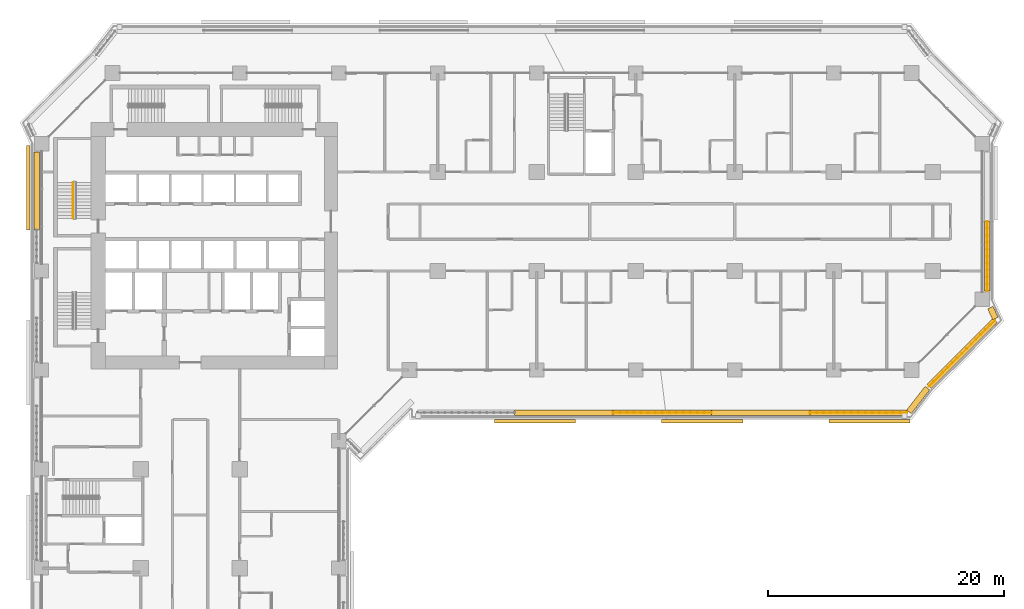
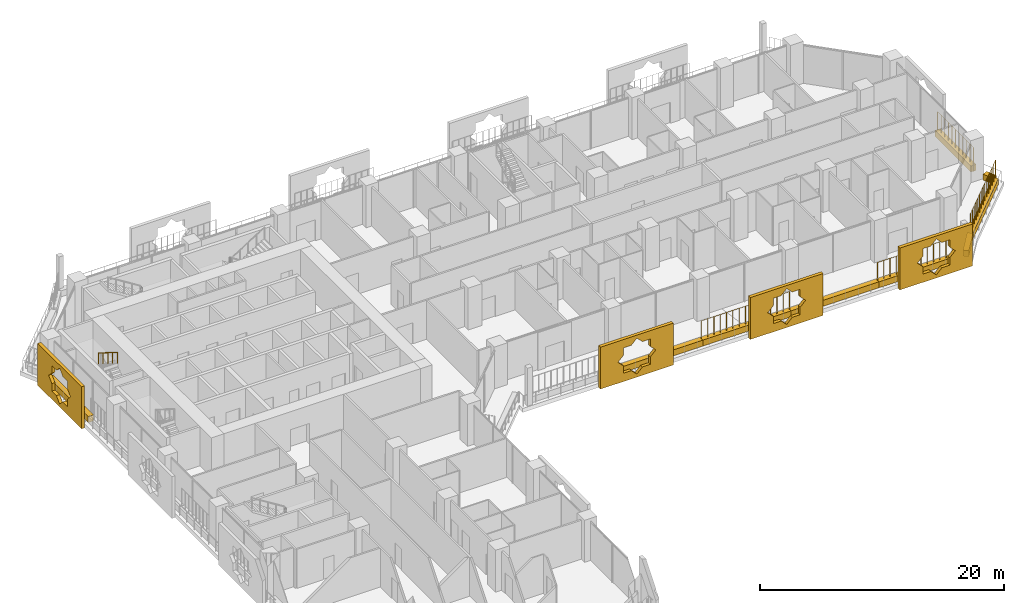
# One storey, part 25 of 28: 13 coverings, 5 railings.
"""IFC4 building model written with IfcOpenShell, lengths in metres."""

from ifc_helpers import new_model, si_unit, direction, frame, origin, origin_2d, place, context, subcontext, project, spatial, polyline, rectangle, circle, outline, extrude, material, material_profile, profile_set, type_object, element, save


model = new_model("IFC4")

# Units and contexts
model_context = context("Model", 3, precision=1e-05, world=origin(), true_north=direction((0.0, 1.0)))
body_context = subcontext(model_context, "Body", "Model", "MODEL_VIEW")
ifc_project = project(units=[si_unit("LENGTHUNIT", "METRE"), si_unit("AREAUNIT", "SQUARE_METRE"), si_unit("VOLUMEUNIT", "CUBIC_METRE"), si_unit("PLANEANGLEUNIT", "RADIAN"), si_unit("MASSUNIT", "GRAM", prefix="KILO")], contexts=[model_context])

# Site, building, storey
site_placement = place(None, origin())
site = spatial("IfcSite", under=ifc_project, at=site_placement, CompositionType="ELEMENT")
building_placement = place(site_placement, origin())
building = spatial("IfcBuilding", under=site, at=building_placement, Name="Kawkab Arch Medical Tower", CompositionType="ELEMENT")
storey_placement = place(building_placement, frame((0.0, 0.0, 72.800048828125)))
storey = spatial("IfcBuildingStorey", under=building, at=storey_placement, Name="L16", CompositionType="ELEMENT", Elevation=72.800048828125)

# Coverings
ifc_material_1 = material(Name="Bronze anodised aluminium mashrabiya panel, eight-point star pattern", Category="aluminium")
ifc_material_profile_1 = material_profile(ifc_material_1, outline(polyline([(-3.449951171875, -2.10009765625), (3.449951171875, -2.10009765625), (3.449951171875, 2.10009765625), (-3.449951171875, 2.10009765625), (-3.449951171875, -2.10009765625)]), holes=[polyline([(1.800048828125, 0.0), (1.272705078125, 0.527099609375), (1.272705078125, 1.272705078125), (0.527099609375, 1.272705078125), (0.0, 1.800048828125), (-0.527099609375, 1.272705078125), (-1.272705078125, 1.272705078125), (-1.272705078125, 0.527099609375), (-1.800048828125, 0.0), (-1.272705078125, -0.527099609375), (-1.272705078125, -1.272705078125), (-0.527099609375, -1.272705078125), (0.0, -1.800048828125), (0.527099609375, -1.272705078125), (1.272705078125, -1.272705078125), (1.272705078125, -0.527099609375), (1.800048828125, 0.0)])]), Name="Mashrabiya panel 6900x4200")
ifc_profile_set_1 = profile_set([ifc_material_profile_1], Name="Bronze anodised aluminium mashrabiya panel, eight-point star pattern")
covering_type_1 = type_object("IfcCoveringType", Name="Mashrabiya panel 6900 x 4200", PredefinedType="USERDEFINED", material=ifc_profile_set_1)
for number, where, z_axis, x_axis, name in (
    (1, (70.226318359375, -29.39990234375, 1.699951171875), (0.0, -1.0, 0.0), (1.0, 0.0, 0.0), "Mashrabiya panel L16.LOG-01-01.11"),
    (2, (56.05126953125, -29.39990234375, 1.699951171875), (0.0, -1.0, 0.0), (1.0, 0.0, 0.0), "Mashrabiya panel L16.LOG-01-01.12"),
    (3, (41.856201171875, -29.39990234375, 1.699951171875), (0.0, -1.0, 0.0), (1.0, 0.0, 0.0), "Mashrabiya panel L16.LOG-01-01.13"),
):
    element("IfcCovering", number, at=place(storey_placement, frame(where, z_axis=z_axis, x_axis=x_axis)), inside=storey, type_object=covering_type_1, Name=name, ObjectType="SCREEN", PredefinedType="USERDEFINED", context=body_context, shape_type="SweptSolid", body=[
        extrude(outline(polyline([(-3.449951171875, -2.10009765625), (3.449951171875, -2.10009765625), (3.449951171875, 2.10009765625), (-3.449951171875, 2.10009765625), (-3.449951171875, -2.10009765625)]), holes=[polyline([(1.800048828125, 0.0), (1.272705078125, 0.527099609375), (1.272705078125, 1.272705078125), (0.527099609375, 1.272705078125), (0.0, 1.800048828125), (-0.527099609375, 1.272705078125), (-1.272705078125, 1.272705078125), (-1.272705078125, 0.527099609375), (-1.800048828125, 0.0), (-1.272705078125, -0.527099609375), (-1.272705078125, -1.272705078125), (-0.527099609375, -1.272705078125), (0.0, -1.800048828125), (0.527099609375, -1.272705078125), (1.272705078125, -1.272705078125), (1.272705078125, -0.527099609375), (1.800048828125, 0.0)])]), origin(), (0.0, 0.0, 1.0), 0.300048828125),
    ])
ifc_material_2 = material(Name="Bronze anodised aluminium mashrabiya panel, eight-point star pattern", Category="aluminium")
ifc_material_profile_2 = material_profile(ifc_material_2, outline(polyline([(-3.60009765625, -2.10009765625), (3.60009765625, -2.10009765625), (3.60009765625, 2.10009765625), (-3.60009765625, 2.10009765625), (-3.60009765625, -2.10009765625)]), holes=[polyline([(1.800048828125, 0.0), (1.272705078125, 0.527099609375), (1.272705078125, 1.272705078125), (0.527099609375, 1.272705078125), (0.0, 1.800048828125), (-0.527099609375, 1.272705078125), (-1.272705078125, 1.272705078125), (-1.272705078125, 0.527099609375), (-1.800048828125, 0.0), (-1.272705078125, -0.527099609375), (-1.272705078125, -1.272705078125), (-0.527099609375, -1.272705078125), (0.0, -1.800048828125), (0.527099609375, -1.272705078125), (1.272705078125, -1.272705078125), (1.272705078125, -0.527099609375), (1.800048828125, 0.0)])]), Name="Mashrabiya panel 7200x4200")
ifc_profile_set_2 = profile_set([ifc_material_profile_2], Name="Bronze anodised aluminium mashrabiya panel, eight-point star pattern")
covering_type_2 = type_object("IfcCoveringType", Name="Mashrabiya panel 7200 x 4200", PredefinedType="USERDEFINED", material=ifc_profile_set_2)
covering_1_placement = place(storey_placement, frame((-1.0, -9.730712890625, 1.699951171875), z_axis=(-1.0, 0.0, 0.0), x_axis=(0.0, -1.0, 0.0)))
element("IfcCovering", 4, at=covering_1_placement, inside=storey, type_object=covering_type_2, Name="Mashrabiya panel L16.LOG-01-01.5", ObjectType="SCREEN", PredefinedType="USERDEFINED", context=body_context, shape_type="SweptSolid", body=[
    extrude(outline(polyline([(-3.60009765625, -2.10009765625), (3.60009765625, -2.10009765625), (3.60009765625, 2.10009765625), (-3.60009765625, 2.10009765625), (-3.60009765625, -2.10009765625)]), holes=[polyline([(1.800048828125, 0.0), (1.272705078125, 0.527099609375), (1.272705078125, 1.272705078125), (0.527099609375, 1.272705078125), (0.0, 1.800048828125), (-0.527099609375, 1.272705078125), (-1.272705078125, 1.272705078125), (-1.272705078125, 0.527099609375), (-1.800048828125, 0.0), (-1.272705078125, -0.527099609375), (-1.272705078125, -1.272705078125), (-0.527099609375, -1.272705078125), (0.0, -1.800048828125), (0.527099609375, -1.272705078125), (1.272705078125, -1.272705078125), (1.272705078125, -0.527099609375), (1.800048828125, 0.0)])]), origin(), (0.0, 0.0, 1.0), 0.300048828125),
])
ifc_material_3 = material(Name="Planting soil in a precast trough", Category="concrete")
ifc_material_profile_3 = material_profile(ifc_material_3, rectangle(XDim=0.5, YDim=0.60009765625, at=origin_2d()), Name="Trough 500x600")
ifc_profile_set_3 = profile_set([ifc_material_profile_3], Name="Planting soil in a precast trough")
covering_type_3 = type_object("IfcCoveringType", Name="Planter trough 500 x 600", PredefinedType="USERDEFINED", material=ifc_profile_set_3)
covering_2_placement = place(storey_placement, frame((-0.419921875, -13.3310546875, 0.300048828125), z_axis=(0.0, 1.0, 0.0), x_axis=(-1.0, 0.0, 0.0)))
element("IfcCovering", 5, at=covering_2_placement, inside=storey, type_object=covering_type_3, Name="Planter L16.LOG-01-01.16", ObjectType="PLANTER", PredefinedType="USERDEFINED", context=body_context, shape_type="SweptSolid", body=[
    extrude(rectangle(XDim=0.5, YDim=0.60009765625, at=origin_2d()), origin(), (0.0, 0.0, 1.0), 6.6259765625),
])
covering_3_placement = place(storey_placement, frame((80.219970703125, -12.60009765625, 0.300048828125), z_axis=(0.0, -1.0, 0.0), x_axis=(1.0, 0.0, 0.0)))
element("IfcCovering", 6, at=covering_3_placement, inside=storey, type_object=covering_type_3, Name="Planter L16.LOG-01-01.33", ObjectType="PLANTER", PredefinedType="USERDEFINED", context=body_context, shape_type="SweptSolid", body=[
    extrude(rectangle(XDim=0.5, YDim=0.60009765625, at=origin_2d()), origin(), (0.0, 0.0, 1.0), 5.89501953125),
])
covering_4_placement = place(storey_placement, frame((80.48095703125, -19.89794921875, 0.300048828125), z_axis=(0.415071571878, -0.909788761317, 0.0), x_axis=(0.909788761317, 0.415071571878, 0.0)))
element("IfcCovering", 7, at=covering_4_placement, inside=storey, type_object=covering_type_3, Name="Planter L16.LOG-01-01.34", ObjectType="PLANTER", PredefinedType="USERDEFINED", context=body_context, shape_type="SweptSolid", body=[
    extrude(rectangle(XDim=0.5, YDim=0.60009765625, at=origin_2d()), origin(), (0.0, 0.0, 1.0), 1.0146484375),
])
covering_5_placement = place(storey_placement, frame((80.873046875, -20.98291015625, 0.300048828125), z_axis=(-0.707106781187, -0.707106781187, 0.0), x_axis=(0.707106781187, -0.707106781187, 0.0)))
element("IfcCovering", 8, at=covering_5_placement, inside=storey, type_object=covering_type_3, Name="Planter L16.LOG-01-01.35", ObjectType="PLANTER", PredefinedType="USERDEFINED", context=body_context, shape_type="SweptSolid", body=[
    extrude(rectangle(XDim=0.5, YDim=0.60009765625, at=origin_2d()), origin(), (0.0, 0.0, 1.0), 7.919677734375),
])
covering_6_placement = place(storey_placement, frame((75.14111328125, -26.73193359375, 0.300048828125), z_axis=(-0.614099956103, -0.789228258436, 0.0), x_axis=(0.789228258436, -0.614099956103, 0.0)))
element("IfcCovering", 9, at=covering_6_placement, inside=storey, type_object=covering_type_3, Name="Planter L16.LOG-01-01.36", ObjectType="PLANTER", PredefinedType="USERDEFINED", context=body_context, shape_type="SweptSolid", body=[
    extrude(rectangle(XDim=0.5, YDim=0.60009765625, at=origin_2d()), origin(), (0.0, 0.0, 1.0), 2.545654296875),
])
covering_7_placement = place(storey_placement, frame((73.416015625, -28.820068359375, 0.300048828125), z_axis=(-1.0, 0.0, 0.0), x_axis=(0.0, -1.0, 0.0)))
element("IfcCovering", 10, at=covering_7_placement, inside=storey, type_object=covering_type_3, Name="Planter L16.LOG-01-01.37", ObjectType="PLANTER", PredefinedType="USERDEFINED", context=body_context, shape_type="SweptSolid", body=[
    extrude(rectangle(XDim=0.5, YDim=0.60009765625, at=origin_2d()), origin(), (0.0, 0.0, 1.0), 8.2470703125),
])
for number, where, z_axis, x_axis, name in (
    (11, (65.1689453125, -28.820068359375, 0.300048828125), (-1.0, 0.0, 0.0), (0.0, -1.0, 0.0), "Planter L16.LOG-01-01.38"),
    (12, (56.822021484375, -28.820068359375, 0.300048828125), (-1.0, 0.0, 0.0), (0.0, -1.0, 0.0), "Planter L16.LOG-01-01.39"),
):
    element("IfcCovering", number, at=place(storey_placement, frame(where, z_axis=z_axis, x_axis=x_axis)), inside=storey, type_object=covering_type_3, Name=name, ObjectType="PLANTER", PredefinedType="USERDEFINED", context=body_context, shape_type="SweptSolid", body=[
        extrude(rectangle(XDim=0.5, YDim=0.60009765625, at=origin_2d()), origin(), (0.0, 0.0, 1.0), 8.346923828125),
    ])
covering_8_placement = place(storey_placement, frame((48.47509765625, -28.820068359375, 0.300048828125), z_axis=(-1.0, 0.0, 0.0), x_axis=(0.0, -1.0, 0.0)))
element("IfcCovering", 13, at=covering_8_placement, inside=storey, type_object=covering_type_3, Name="Planter L16.LOG-01-01.40", ObjectType="PLANTER", PredefinedType="USERDEFINED", context=body_context, shape_type="SweptSolid", body=[
    extrude(rectangle(XDim=0.5, YDim=0.60009765625, at=origin_2d()), origin(), (0.0, 0.0, 1.0), 8.34814453125),
])

# Railings
ifc_material_4 = material(Name="Bronze anodised aluminium trellis for climbing plants", Category="aluminium")
railing_type_1 = type_object("IfcRailingType", Name="Planting trellis 2400", PredefinedType="USERDEFINED", material=ifc_material_4)
railing_1_placement = place(storey_placement, frame((80.219970703125, -12.60009765625, 0.0)))
element("IfcRailing", 14, at=railing_1_placement, inside=storey, type_object=railing_type_1, Name="Planting trellis L16.LOG-01-01.33", ObjectType="TRELLIS", PredefinedType="USERDEFINED", context=body_context, shape_type="SweptSolid", body=[
    extrude(circle(Radius=0.01513671875, at=origin_2d()), frame((0.0, 0.0, 2.384765625), z_axis=(0.0, -1.0, 0.0), x_axis=(1.0, 0.0, 0.0)), (0.0, 0.0, 1.0), 5.89501953125),
    extrude(circle(Radius=0.030029296875, at=origin_2d()), origin(), (0.0, 0.0, 1.0), 2.369873046875),
    extrude(circle(Radius=0.030029296875, at=origin_2d()), frame((0.0, -0.589599609375, 0.0)), (0.0, 0.0, 1.0), 2.369873046875),
    extrude(circle(Radius=0.030029296875, at=origin_2d()), frame((0.0, -1.178955078125, 0.0)), (0.0, 0.0, 1.0), 2.369873046875),
    extrude(circle(Radius=0.030029296875, at=origin_2d()), frame((0.0, -1.7685546875, 0.0)), (0.0, 0.0, 1.0), 2.369873046875),
    extrude(circle(Radius=0.030029296875, at=origin_2d()), frame((0.0, -2.35791015625, 0.0)), (0.0, 0.0, 1.0), 2.369873046875),
    extrude(circle(Radius=0.030029296875, at=origin_2d()), frame((0.0, -2.947509765625, 0.0)), (0.0, 0.0, 1.0), 2.369873046875),
    extrude(circle(Radius=0.030029296875, at=origin_2d()), frame((0.0, -3.537109375, 0.0)), (0.0, 0.0, 1.0), 2.369873046875),
    extrude(circle(Radius=0.030029296875, at=origin_2d()), frame((0.0, -4.12646484375, 0.0)), (0.0, 0.0, 1.0), 2.369873046875),
    extrude(circle(Radius=0.030029296875, at=origin_2d()), frame((0.0, -4.716064453125, 0.0)), (0.0, 0.0, 1.0), 2.369873046875),
    extrude(circle(Radius=0.030029296875, at=origin_2d()), frame((0.0, -5.305419921875, 0.0)), (0.0, 0.0, 1.0), 2.369873046875),
    extrude(circle(Radius=0.030029296875, at=origin_2d()), frame((0.0, -5.89501953125, 0.0)), (0.0, 0.0, 1.0), 2.369873046875),
])
railing_2_placement = place(storey_placement, frame((80.873046875, -20.98291015625, 0.0)))
element("IfcRailing", 15, at=railing_2_placement, inside=storey, type_object=railing_type_1, Name="Planting trellis L16.LOG-01-01.35", ObjectType="TRELLIS", PredefinedType="USERDEFINED", context=body_context, shape_type="SweptSolid", body=[
    extrude(circle(Radius=0.01513671875, at=origin_2d()), frame((0.0, 0.0, 2.384765625), z_axis=(-0.707106781187, -0.707106781187, 0.0), x_axis=(0.707106781187, -0.707106781187, 0.0)), (0.0, 0.0, 1.0), 7.919677734375),
    extrude(circle(Radius=0.030029296875, at=origin_2d()), origin(), (0.0, 0.0, 1.0), 2.369873046875),
    extrude(circle(Radius=0.030029296875, at=origin_2d()), frame((-0.39990234375, -0.39990234375, 0.0)), (0.0, 0.0, 1.0), 2.369873046875),
    extrude(circle(Radius=0.030029296875, at=origin_2d()), frame((-0.800048828125, -0.800048828125, 0.0)), (0.0, 0.0, 1.0), 2.369873046875),
    extrude(circle(Radius=0.030029296875, at=origin_2d()), frame((-1.199951171875, -1.199951171875, 0.0)), (0.0, 0.0, 1.0), 2.369873046875),
    extrude(circle(Radius=0.030029296875, at=origin_2d()), frame((-1.60009765625, -1.60009765625, 0.0)), (0.0, 0.0, 1.0), 2.369873046875),
    extrude(circle(Radius=0.030029296875, at=origin_2d()), frame((-2.0, -2.0, 0.0)), (0.0, 0.0, 1.0), 2.369873046875),
    extrude(circle(Radius=0.030029296875, at=origin_2d()), frame((-2.400146484375, -2.400146484375, 0.0)), (0.0, 0.0, 1.0), 2.369873046875),
    extrude(circle(Radius=0.030029296875, at=origin_2d()), frame((-2.800048828125, -2.800048828125, 0.0)), (0.0, 0.0, 1.0), 2.369873046875),
    extrude(circle(Radius=0.030029296875, at=origin_2d()), frame((-3.199951171875, -3.199951171875, 0.0)), (0.0, 0.0, 1.0), 2.369873046875),
    extrude(circle(Radius=0.030029296875, at=origin_2d()), frame((-3.60009765625, -3.60009765625, 0.0)), (0.0, 0.0, 1.0), 2.369873046875),
    extrude(circle(Radius=0.030029296875, at=origin_2d()), frame((-4.0, -4.0, 0.0)), (0.0, 0.0, 1.0), 2.369873046875),
    extrude(circle(Radius=0.030029296875, at=origin_2d()), frame((-4.400146484375, -4.400146484375, 0.0)), (0.0, 0.0, 1.0), 2.369873046875),
    extrude(circle(Radius=0.030029296875, at=origin_2d()), frame((-4.800048828125, -4.800048828125, 0.0)), (0.0, 0.0, 1.0), 2.369873046875),
    extrude(circle(Radius=0.030029296875, at=origin_2d()), frame((-5.2001953125, -5.2001953125, 0.0)), (0.0, 0.0, 1.0), 2.369873046875),
    extrude(circle(Radius=0.030029296875, at=origin_2d()), frame((-5.60009765625, -5.60009765625, 0.0)), (0.0, 0.0, 1.0), 2.369873046875),
])
railing_3_placement = place(storey_placement, frame((73.416015625, -28.820068359375, 0.0)))
element("IfcRailing", 16, at=railing_3_placement, inside=storey, type_object=railing_type_1, Name="Planting trellis L16.LOG-01-01.37", ObjectType="TRELLIS", PredefinedType="USERDEFINED", context=body_context, shape_type="SweptSolid", body=[
    extrude(circle(Radius=0.01513671875, at=origin_2d()), frame((0.0, 0.0, 2.384765625), z_axis=(-1.0, 0.0, 0.0), x_axis=(0.0, -1.0, 0.0)), (0.0, 0.0, 1.0), 8.2470703125),
    extrude(circle(Radius=0.030029296875, at=origin_2d()), origin(), (0.0, 0.0, 1.0), 2.369873046875),
    extrude(circle(Radius=0.030029296875, at=origin_2d()), frame((-0.589111328125, 0.0, 0.0)), (0.0, 0.0, 1.0), 2.369873046875),
    extrude(circle(Radius=0.030029296875, at=origin_2d()), frame((-1.17822265625, 0.0, 0.0)), (0.0, 0.0, 1.0), 2.369873046875),
    extrude(circle(Radius=0.030029296875, at=origin_2d()), frame((-1.767333984375, 0.0, 0.0)), (0.0, 0.0, 1.0), 2.369873046875),
    extrude(circle(Radius=0.030029296875, at=origin_2d()), frame((-2.356201171875, 0.0, 0.0)), (0.0, 0.0, 1.0), 2.369873046875),
    extrude(circle(Radius=0.030029296875, at=origin_2d()), frame((-2.9453125, 0.0, 0.0)), (0.0, 0.0, 1.0), 2.369873046875),
    extrude(circle(Radius=0.030029296875, at=origin_2d()), frame((-3.534423828125, 0.0, 0.0)), (0.0, 0.0, 1.0), 2.369873046875),
    extrude(circle(Radius=0.030029296875, at=origin_2d()), frame((-4.12353515625, 0.0, 0.0)), (0.0, 0.0, 1.0), 2.369873046875),
    extrude(circle(Radius=0.030029296875, at=origin_2d()), frame((-4.712646484375, 0.0, 0.0)), (0.0, 0.0, 1.0), 2.369873046875),
    extrude(circle(Radius=0.030029296875, at=origin_2d()), frame((-5.3017578125, 0.0, 0.0)), (0.0, 0.0, 1.0), 2.369873046875),
    extrude(circle(Radius=0.030029296875, at=origin_2d()), frame((-5.890869140625, 0.0, 0.0)), (0.0, 0.0, 1.0), 2.369873046875),
    extrude(circle(Radius=0.030029296875, at=origin_2d()), frame((-6.479736328125, 0.0, 0.0)), (0.0, 0.0, 1.0), 2.369873046875),
    extrude(circle(Radius=0.030029296875, at=origin_2d()), frame((-7.06884765625, 0.0, 0.0)), (0.0, 0.0, 1.0), 2.369873046875),
    extrude(circle(Radius=0.030029296875, at=origin_2d()), frame((-7.657958984375, 0.0, 0.0)), (0.0, 0.0, 1.0), 2.369873046875),
    extrude(circle(Radius=0.030029296875, at=origin_2d()), frame((-8.2470703125, 0.0, 0.0)), (0.0, 0.0, 1.0), 2.369873046875),
])
railing_4_placement = place(storey_placement, frame((56.822021484375, -28.820068359375, 0.0)))
element("IfcRailing", 17, at=railing_4_placement, inside=storey, type_object=railing_type_1, Name="Planting trellis L16.LOG-01-01.39", ObjectType="TRELLIS", PredefinedType="USERDEFINED", context=body_context, shape_type="SweptSolid", body=[
    extrude(circle(Radius=0.01513671875, at=origin_2d()), frame((0.0, 0.0, 2.384765625), z_axis=(-1.0, 0.0, 0.0), x_axis=(0.0, -1.0, 0.0)), (0.0, 0.0, 1.0), 8.346923828125),
    extrude(circle(Radius=0.030029296875, at=origin_2d()), origin(), (0.0, 0.0, 1.0), 2.369873046875),
    extrude(circle(Radius=0.030029296875, at=origin_2d()), frame((-0.59619140625, 0.0, 0.0)), (0.0, 0.0, 1.0), 2.369873046875),
    extrude(circle(Radius=0.030029296875, at=origin_2d()), frame((-1.1923828125, 0.0, 0.0)), (0.0, 0.0, 1.0), 2.369873046875),
    extrude(circle(Radius=0.030029296875, at=origin_2d()), frame((-1.78857421875, 0.0, 0.0)), (0.0, 0.0, 1.0), 2.369873046875),
    extrude(circle(Radius=0.030029296875, at=origin_2d()), frame((-2.384765625, 0.0, 0.0)), (0.0, 0.0, 1.0), 2.369873046875),
    extrude(circle(Radius=0.030029296875, at=origin_2d()), frame((-2.98095703125, 0.0, 0.0)), (0.0, 0.0, 1.0), 2.369873046875),
    extrude(circle(Radius=0.030029296875, at=origin_2d()), frame((-3.5771484375, 0.0, 0.0)), (0.0, 0.0, 1.0), 2.369873046875),
    extrude(circle(Radius=0.030029296875, at=origin_2d()), frame((-4.17333984375, 0.0, 0.0)), (0.0, 0.0, 1.0), 2.369873046875),
    extrude(circle(Radius=0.030029296875, at=origin_2d()), frame((-4.769775390625, 0.0, 0.0)), (0.0, 0.0, 1.0), 2.369873046875),
    extrude(circle(Radius=0.030029296875, at=origin_2d()), frame((-5.365966796875, 0.0, 0.0)), (0.0, 0.0, 1.0), 2.369873046875),
    extrude(circle(Radius=0.030029296875, at=origin_2d()), frame((-5.962158203125, 0.0, 0.0)), (0.0, 0.0, 1.0), 2.369873046875),
    extrude(circle(Radius=0.030029296875, at=origin_2d()), frame((-6.558349609375, 0.0, 0.0)), (0.0, 0.0, 1.0), 2.369873046875),
    extrude(circle(Radius=0.030029296875, at=origin_2d()), frame((-7.154541015625, 0.0, 0.0)), (0.0, 0.0, 1.0), 2.369873046875),
    extrude(circle(Radius=0.030029296875, at=origin_2d()), frame((-7.750732421875, 0.0, 0.0)), (0.0, 0.0, 1.0), 2.369873046875),
    extrude(circle(Radius=0.030029296875, at=origin_2d()), frame((-8.346923828125, 0.0, 0.0)), (0.0, 0.0, 1.0), 2.369873046875),
])
ifc_material_5 = material(Name="Stainless steel", Category="steel")
railing_type_2 = type_object("IfcRailingType", Name="Stair guard 1100", PredefinedType="GUARDRAIL", material=ifc_material_5)
railing_5_placement = place(storey_placement, frame((2.64990234375, -9.27001953125, 2.27490234375)))
element("IfcRailing", 18, at=railing_5_placement, inside=storey, type_object=railing_type_2, Name="L16 ST1 stair guard 3", PredefinedType="GUARDRAIL", context=body_context, shape_type="SweptSolid", body=[
    extrude(circle(Radius=0.02392578125, at=origin_2d()), frame((0.0, 0.0, 1.076171875), z_axis=(0.0, -0.847998304005, 0.529998940003), x_axis=(1.0, 0.0, 0.0)), (0.0, 0.0, 1.0), 3.632080078125),
    extrude(circle(Radius=0.02099609375, at=origin_2d()), origin(), (0.0, 0.0, 1.0), 1.052001953125),
    extrude(circle(Radius=0.02099609375, at=origin_2d()), frame((0.0, -0.77001953125, 0.481201171875)), (0.0, 0.0, 1.0), 1.052001953125),
    extrude(circle(Radius=0.02099609375, at=origin_2d()), frame((0.0, -1.5400390625, 0.96240234375)), (0.0, 0.0, 1.0), 1.052001953125),
    extrude(circle(Radius=0.02099609375, at=origin_2d()), frame((0.0, -2.31005859375, 1.44384765625)), (0.0, 0.0, 1.0), 1.052001953125),
    extrude(circle(Radius=0.02099609375, at=origin_2d()), frame((0.0, -3.080078125, 1.925048828125)), (0.0, 0.0, 1.0), 1.052001953125),
])

save(model, "model.ifc")
